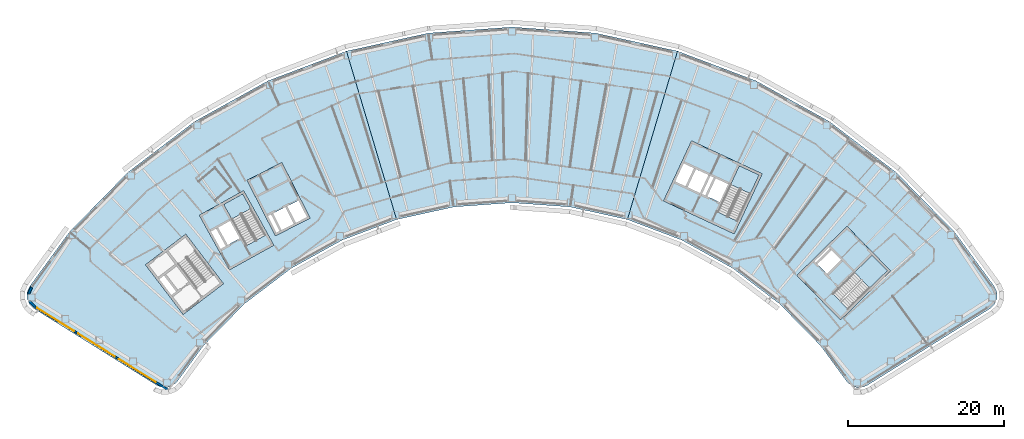
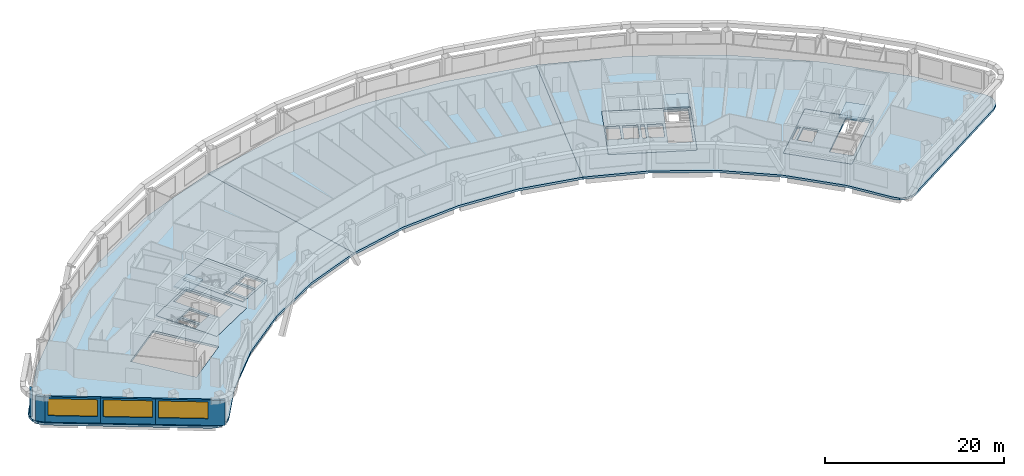
# One storey, part 4 of 17: 10 slabs, 5 walls, 3 windows, 3 openings, 3 elements without a shape of their own.
"""IFC4 building model written with IfcOpenShell, lengths in metres."""

import ifcopenshell
import ifcopenshell.guid

model = None  # the IFC model being written
_history = None  # IfcOwnerHistory: only IFC2X3 demands one
_inside = {}  # id of a spatial element -> (the spatial element, [elements in it])
_under = {}  # id of a project, library or spatial element -> (it, [spatial elements below it])
_declared = {}  # id of a project -> (the project, [libraries it declares])
_typed = {}  # id of a type object -> (the type object, [elements of that type])
_made_of = {}  # id of a material, layer set ... -> (it, [elements and type objects made of it])


def new_model(schema):
    """Start an empty IFC model of exactly this schema.

    Asked for "IFC4X3", IfcOpenShell would pick the latest addendum, in which some entities
    have other attributes; the version numbers below select the first issue.
    IFC2X3 requires an IfcOwnerHistory on every rooted entity: one is made here for all.
    """
    global model, _history
    if schema == "IFC4X3":
        model = ifcopenshell.file(schema_version=(4, 3, 0, 0))
    else:
        model = ifcopenshell.file(schema=schema)
    _inside.clear()
    _under.clear()
    _declared.clear()
    _typed.clear()
    _made_of.clear()
    _history = None
    if model.schema == "IFC2X3":
        org = make("IfcOrganization", Name="unknown")
        user = make(
            "IfcPersonAndOrganization",
            ThePerson=make("IfcPerson", FamilyName="unknown"),
            TheOrganization=org,
        )
        app = make(
            "IfcApplication",
            ApplicationDeveloper=org,
            Version="unknown",
            ApplicationFullName="unknown",
            ApplicationIdentifier="unknown",
        )
        _history = make(
            "IfcOwnerHistory",
            OwningUser=user,
            OwningApplication=app,
            ChangeAction="ADDED",
            CreationDate=0,
        )
    return model


def make(cls, **values):
    """One entity of the class cls with the attributes given. An attribute that is None is left unset."""
    return model.create_entity(
        cls, **{name: value for name, value in values.items() if value is not None}
    )


def rooted(cls, **values):
    """An entity with a GlobalId (a new one), such as an element, a storey or a relation."""
    return make(cls, GlobalId=ifcopenshell.guid.new(), OwnerHistory=_history, **values)


def si_unit(unit_type, name, prefix=None):
    """IfcSIUnit, for example si_unit("LENGTHUNIT", "METRE", prefix="MILLI")."""
    return make("IfcSIUnit", UnitType=unit_type, Prefix=prefix, Name=name)


def assignment(units):
    """IfcUnitAssignment: the units of a project."""
    return None if units is None else make("IfcUnitAssignment", Units=units)


def point(xyz):
    """IfcCartesianPoint."""
    return None if xyz is None else make("IfcCartesianPoint", Coordinates=xyz)


def direction(xyz):
    """IfcDirection."""
    return None if xyz is None else make("IfcDirection", DirectionRatios=xyz)


def frame(location, z_axis=None, x_axis=None):
    """IfcAxis2Placement3D, a coordinate frame: its origin and axes. An axis left out is left unset."""
    return make(
        "IfcAxis2Placement3D",
        Location=point(location),
        Axis=direction(z_axis),
        RefDirection=direction(x_axis),
    )


def frame_2d(location, x_axis=None):
    """IfcAxis2Placement2D, a coordinate frame in the plane: its origin and x axis."""
    return make(
        "IfcAxis2Placement2D", Location=point(location), RefDirection=direction(x_axis)
    )


def origin():
    """The frame at (0, 0, 0) with its axes left unset."""
    return frame((0.0, 0.0, 0.0))


def place(relative_to, where):
    """IfcLocalPlacement: puts the frame where relative to a parent placement (None: the world)."""
    return make(
        "IfcLocalPlacement", PlacementRelTo=relative_to, RelativePlacement=where
    )


def context(
    kind, dimensions, precision=None, world=None, true_north=None, identifier=None
):
    """IfcGeometricRepresentationContext, for example the 3D "Model" context."""
    return make(
        "IfcGeometricRepresentationContext",
        ContextIdentifier=identifier,
        ContextType=kind,
        CoordinateSpaceDimension=dimensions,
        Precision=precision,
        WorldCoordinateSystem=world,
        TrueNorth=true_north,
    )


def subcontext(parent, identifier, kind, view, scale=None):
    """IfcGeometricRepresentationSubContext, for example "Body" below "Model"."""
    return make(
        "IfcGeometricRepresentationSubContext",
        ContextIdentifier=identifier,
        ContextType=kind,
        ParentContext=parent,
        TargetScale=scale,
        TargetView=view,
    )


def project(units=None, contexts=None):
    """IfcProject with its units and contexts."""
    return rooted(
        "IfcProject",
        Name="project",
        RepresentationContexts=contexts,
        UnitsInContext=assignment(units),
    )


def spatial(cls, under=None, at=None, **own):
    """A site, building, storey or space (cls), placed at a placement, below another one or the project."""
    s = rooted(cls, ObjectPlacement=at, **own)
    if under is not None:
        _under.setdefault(under.id(), (under, []))[1].append(s)
    return s


def polyline(points):
    """IfcPolyline through the points."""
    return make("IfcPolyline", Points=[point(p) for p in points])


def profile(cls, at=None, kind="AREA", **sizes):
    """A parametric profile (cls). Its sizes go by their IFC names, for example OverallWidth=200.0."""
    return make(cls, ProfileType=kind, Position=at, **sizes)


def rectangle(**sizes):
    """IfcRectangleProfileDef."""
    return profile("IfcRectangleProfileDef", **sizes)


def outline(outer, holes=None, kind="AREA"):
    """IfcArbitraryClosedProfileDef: a profile drawn as a closed curve; with holes, ...WithVoids."""
    if holes is None:
        return make("IfcArbitraryClosedProfileDef", ProfileType=kind, OuterCurve=outer)
    return make(
        "IfcArbitraryProfileDefWithVoids",
        ProfileType=kind,
        OuterCurve=outer,
        InnerCurves=holes,
    )


def extrude(swept, where, along, depth):
    """IfcExtrudedAreaSolid: the profile swept, set in the frame where, extruded along a direction by depth."""
    return make(
        "IfcExtrudedAreaSolid",
        SweptArea=swept,
        Position=where,
        ExtrudedDirection=direction(along),
        Depth=depth,
    )


def shape(context_of_items, identifier, shape_type, items):
    """IfcShapeRepresentation: the items that make up one representation, for example the "Body"."""
    return make(
        "IfcShapeRepresentation",
        ContextOfItems=context_of_items,
        RepresentationIdentifier=identifier,
        RepresentationType=shape_type,
        Items=items,
    )


def material(Name=None, Category=None):
    """IfcMaterial."""
    return make("IfcMaterial", Name=Name, Category=Category)


def layer(
    of_material, thickness, ventilated=None, Name=None, Category=None, Priority=None
):
    """IfcMaterialLayer: one layer of a wall or slab, of a material (None: an air gap)."""
    return make(
        "IfcMaterialLayer",
        Material=of_material,
        LayerThickness=thickness,
        IsVentilated=ventilated,
        Name=Name,
        Category=Category,
        Priority=Priority,
    )


def layer_set(layers, Name=None):
    """IfcMaterialLayerSet."""
    return make("IfcMaterialLayerSet", MaterialLayers=layers, LayerSetName=Name)


def made_of(thing, what):
    """Note that an element or type object is made of a material, layer set ...; save() writes the relation."""
    if what is not None:
        _made_of.setdefault(what.id(), (what, []))[1].append(thing)
    return thing


def type_object(cls, material=None, **own):
    """A type object (cls), such as IfcWallType, which elements share."""
    return made_of(rooted(cls, **own), material)


def element(
    cls,
    number,
    at=None,
    inside=None,
    cuts=None,
    type_object=None,
    material=None,
    context=None,
    identifier="Body",
    shape_type=None,
    held_by="IfcProductDefinitionShape",
    body=None,
    shapes=None,
    **own,
):
    """One element of the class cls, such as IfcWall. Its Tag is "e" and its number.

    at: its placement. inside: the storey or other place that contains it. cuts: it is an
    opening in that element (IfcRelVoidsElement). A single representation is given by context,
    identifier, shape_type and body (its items); several are given by shapes. held_by: the class
    of the entity that holds the representations. save() writes the other relations.
    """
    e = rooted(cls, Tag="e%d" % number, ObjectPlacement=at, **own)
    if body is not None:
        shapes = [shape(context, identifier, shape_type, body)]
    if shapes is not None:
        e.Representation = make(held_by, Representations=shapes)
    if inside is not None:
        _inside.setdefault(inside.id(), (inside, []))[1].append(e)
    if cuts is not None:
        rooted(
            "IfcRelVoidsElement", RelatingBuildingElement=cuts, RelatedOpeningElement=e
        )
    if type_object is not None:
        _typed.setdefault(type_object.id(), (type_object, []))[1].append(e)
    return made_of(e, material)


def fill(opening, filler):
    """IfcRelFillsElement: the door or window that sits in an opening."""
    return rooted(
        "IfcRelFillsElement",
        RelatingOpeningElement=opening,
        RelatedBuildingElement=filler,
    )


def aggregate(whole, parts):
    """IfcRelAggregates: a whole, such as a stair, and the parts it consists of."""
    return rooted("IfcRelAggregates", RelatingObject=whole, RelatedObjects=parts)


def save(model, path):
    """Write the relations noted so far, then the file.

    IfcRelAggregates (storeys below a building ...), IfcRelContainedInSpatialStructure (elements
    in a storey), IfcRelDefinesByType, IfcRelAssociatesMaterial and IfcRelDeclares: one each for
    every whole, place, type object, material and project.
    """
    for whole, parts in _under.values():
        aggregate(whole, parts)
    for where, things in _inside.values():
        rooted(
            "IfcRelContainedInSpatialStructure",
            RelatedElements=things,
            RelatingStructure=where,
        )
    for kind, things in _typed.values():
        rooted("IfcRelDefinesByType", RelatedObjects=things, RelatingType=kind)
    for what, things in _made_of.values():
        rooted("IfcRelAssociatesMaterial", RelatedObjects=things, RelatingMaterial=what)
    for by, libraries in _declared.values():
        rooted("IfcRelDeclares", RelatingContext=by, RelatedDefinitions=libraries)
    model.write(path)


model = new_model("IFC4")

# Units and contexts
model_context = context("Model", 3, precision=1e-05, world=origin(), true_north=direction((0.0, 1.0)))
body_context = subcontext(model_context, "Body", "Model", "MODEL_VIEW")
ifc_project = project(units=[si_unit("LENGTHUNIT", "METRE"), si_unit("AREAUNIT", "SQUARE_METRE"), si_unit("VOLUMEUNIT", "CUBIC_METRE"), si_unit("PLANEANGLEUNIT", "RADIAN"), si_unit("MASSUNIT", "GRAM", prefix="KILO")], contexts=[model_context])

# Site, building, storey
site_placement = place(None, origin())
site = spatial("IfcSite", under=ifc_project, at=site_placement, CompositionType="ELEMENT")
building_placement = place(site_placement, origin())
building = spatial("IfcBuilding", under=site, at=building_placement, Name="Tuul Gate Civic Tower", CompositionType="ELEMENT")
storey_placement = place(building_placement, frame((0.0, 0.0, 222.10009765625)))
storey = spatial("IfcBuildingStorey", under=building, at=storey_placement, Name="Level 50", CompositionType="ELEMENT", Elevation=222.10009765625)

# Slabs
ifc_material_1 = material(Name="Concrete C40/50", Category="concrete")
ifc_layer_1 = layer(ifc_material_1, 0.300048828125)
ifc_layer_set_1 = layer_set([ifc_layer_1], Name="Concrete C40/50")
slab_type_1 = type_object("IfcSlabType", Name="Core floor slab 300", PredefinedType="FLOOR", material=ifc_layer_set_1)
slab_1_placement = place(storey_placement, frame((0.0, 0.0, -0.300048828125)))
element("IfcSlab", 1, at=slab_1_placement, inside=storey, type_object=slab_type_1, Name="FLOOR SLAB", PredefinedType="FLOOR", context=body_context, shape_type="SweptSolid", body=[
    extrude(outline(polyline([(-24.638916015625, -8.846923828125), (-28.51708984375, -1.849853515625), (-34.2021484375, -5.0009765625), (-30.32421875, -11.998046875), (-24.638916015625, -8.846923828125)]), holes=[polyline([(-29.0185546875, -7.958740234375), (-30.254638671875, -5.728515625), (-31.785400390625, -6.576904296875), (-30.54931640625, -8.80712890625), (-29.0185546875, -7.958740234375)]), polyline([(-30.8115234375, -8.95263671875), (-32.047607421875, -6.72216796875), (-32.8349609375, -7.158447265625), (-31.5986328125, -9.388916015625), (-30.8115234375, -8.95263671875)]), polyline([(-25.702392578125, -7.548828125), (-28.14990234375, -8.905517578125), (-31.08203125, -3.615234375), (-28.63427734375, -2.2587890625), (-25.702392578125, -7.548828125)])]), origin(), (0.0, 0.0, 1.0), 0.300048828125),
])
slab_2_placement = place(storey_placement, frame((0.0, 0.0, -0.300048828125)))
element("IfcSlab", 2, at=slab_2_placement, inside=storey, type_object=slab_type_1, Name="FLOOR SLAB", PredefinedType="FLOOR", context=body_context, shape_type="SweptSolid", body=[
    extrude(outline(polyline([(48.117919921875, -18.43310546875), (54.545166015625, -12.1328125), (48.945068359375, -6.419921875), (42.517822265625, -12.719970703125), (48.117919921875, -18.43310546875)]), holes=[polyline([(46.373779296875, -12.510986328125), (48.19482421875, -10.725830078125), (46.969970703125, -9.47607421875), (45.14892578125, -11.26123046875), (46.373779296875, -12.510986328125)]), polyline([(44.93896484375, -11.046875), (46.760009765625, -9.261962890625), (46.514892578125, -9.011962890625), (44.69384765625, -10.797119140625), (44.93896484375, -11.046875)]), polyline([(49.086181640625, -17.062744140625), (47.12744140625, -15.064208984375), (52.160888671875, -10.130126953125), (54.11962890625, -12.128662109375), (49.086181640625, -17.062744140625)])]), origin(), (0.0, 0.0, 1.0), 0.300048828125),
])
slab_3_placement = place(storey_placement, frame((0.0, 0.0, -0.300048828125)))
element("IfcSlab", 3, at=slab_3_placement, inside=storey, type_object=slab_type_1, Name="FLOOR SLAB", PredefinedType="FLOOR", context=body_context, shape_type="SweptSolid", body=[
    extrude(outline(polyline([(34.465087890625, -7.385986328125), (38.056884765625, 0.31787109375), (28.993896484375, 4.543701171875), (25.40185546875, -3.159912109375), (34.465087890625, -7.385986328125)]), holes=[polyline([(32.60888671875, -3.32080078125), (33.6865234375, -1.009765625), (32.1005859375, -0.27001953125), (31.02294921875, -2.581298828125), (32.60888671875, -3.32080078125)]), polyline([(30.0712890625, -2.137451171875), (31.14892578125, 0.173583984375), (29.562744140625, 0.9130859375), (28.4853515625, -1.39794921875), (30.0712890625, -2.137451171875)]), polyline([(30.751220703125, -2.454345703125), (31.82861328125, -0.143310546875), (31.4208984375, 0.046875), (30.34326171875, -2.264404296875), (30.751220703125, -2.454345703125)]), polyline([(28.21337890625, -1.27099609375), (29.291015625, 1.0400390625), (27.8408203125, 1.71630859375), (26.76318359375, -0.594970703125), (28.21337890625, -1.27099609375)]), polyline([(34.889892578125, -5.7626953125), (32.353759765625, -4.580078125), (35.120849609375, 1.354736328125), (37.6572265625, 0.17236328125), (34.889892578125, -5.7626953125)])]), origin(), (0.0, 0.0, 1.0), 0.300048828125),
])
ifc_material_2 = material(Name="Concrete C40/50", Category="concrete")
ifc_layer_2 = layer(ifc_material_2, 0.300048828125)
ifc_layer_set_2 = layer_set([ifc_layer_2], Name="Concrete C40/50")
slab_type_2 = type_object("IfcSlabType", Name="Core floor slab 300 non-bearing", PredefinedType="FLOOR", material=ifc_layer_set_2)
slab_4_placement = place(storey_placement, frame((0.0, 0.0, -0.300048828125)))
element("IfcSlab", 4, at=slab_4_placement, inside=storey, type_object=slab_type_2, Name="FLOOR SLAB", PredefinedType="FLOOR", context=body_context, shape_type="SweptSolid", body=[
    extrude(outline(polyline([(-19.98095703125, -5.365966796875), (-23.613037109375, 1.761962890625), (-28.068115234375, -0.508056640625), (-24.43603515625, -7.635986328125), (-19.98095703125, -5.365966796875)]), holes=[polyline([(-20.384521484375, -5.23486328125), (-21.47412109375, -3.096435546875), (-22.899658203125, -3.822998046875), (-21.81005859375, -5.961181640625), (-20.384521484375, -5.23486328125)]), polyline([(-22.077392578125, -6.097412109375), (-23.1669921875, -3.958984375), (-24.726318359375, -4.753662109375), (-23.63671875, -6.89208984375), (-22.077392578125, -6.097412109375)]), polyline([(-23.8359375, -7.161865234375), (-24.99365234375, -4.889892578125), (-25.5283203125, -5.162109375), (-24.37060546875, -7.434326171875), (-23.8359375, -7.161865234375)])]), origin(), (0.0, 0.0, 1.0), 0.300048828125),
])

# Stair, slab
ifc_material_3 = material(Name="Concrete C40/50", Category="concrete")
stair_type = type_object("IfcStairType", Name="Exit stair", PredefinedType="HALF_TURN_STAIR", material=ifc_material_3)
stair_1_placement = place(storey_placement, origin())
stair_1 = element("IfcStair", 5, at=stair_1_placement, inside=storey, type_object=stair_type, Name="Level 50 ST-2", PredefinedType="HALF_TURN_STAIR")
ifc_material_4 = material(Name="Concrete C40/50", Category="concrete")
ifc_layer_3 = layer(ifc_material_4, 0.199951171875)
ifc_layer_set_3 = layer_set([ifc_layer_3], Name="Concrete C40/50")
slab_type_3 = type_object("IfcSlabType", Name="Exit stair landing", PredefinedType="LANDING", material=ifc_layer_set_3)
slab_5_placement = place(storey_placement, frame((0.0, 0.0, 1.89990234375)))
slab_5 = element("IfcSlab", 6, at=slab_5_placement, type_object=slab_type_3, Name="ST-2 landing 1", PredefinedType="LANDING", context=body_context, shape_type="SweptSolid", body=[
    extrude(outline(polyline([(-27.5908203125, -4.138427734375), (-30.041015625, -5.49658203125), (-31.084228515625, -3.61474609375), (-28.6337890625, -2.256591796875), (-27.5908203125, -4.138427734375)])), origin(), (0.0, 0.0, 1.0), 0.199951171875),
])
aggregate(stair_1, [slab_5])

stair_2_placement = place(storey_placement, origin())
stair_2 = element("IfcStair", 7, at=stair_2_placement, inside=storey, type_object=stair_type, Name="Level 50 ST-3", PredefinedType="HALF_TURN_STAIR")
slab_6_placement = place(storey_placement, frame((0.0, 0.0, 1.89990234375)))
slab_6 = element("IfcSlab", 8, at=slab_6_placement, type_object=slab_type_3, Name="ST-3 landing 1", PredefinedType="LANDING", context=body_context, shape_type="SweptSolid", body=[
    extrude(outline(polyline([(51.871337890625, -14.3349609375), (49.91015625, -12.334228515625), (52.160888671875, -10.1279296875), (54.1220703125, -12.128662109375), (51.871337890625, -14.3349609375)])), origin(), (0.0, 0.0, 1.0), 0.199951171875),
])
aggregate(stair_2, [slab_6])

stair_3_placement = place(storey_placement, origin())
stair_3 = element("IfcStair", 9, at=stair_3_placement, inside=storey, type_object=stair_type, Name="Level 50 ST-4", PredefinedType="HALF_TURN_STAIR")
slab_7_placement = place(storey_placement, frame((0.0, 0.0, 1.89990234375)))
slab_7 = element("IfcSlab", 10, at=slab_7_placement, type_object=slab_type_3, Name="ST-4 landing 1", PredefinedType="LANDING", context=body_context, shape_type="SweptSolid", body=[
    extrude(outline(polyline([(36.538818359375, -2.230224609375), (33.999755859375, -1.046142578125), (35.1201171875, 1.35693359375), (37.659423828125, 0.173095703125), (36.538818359375, -2.230224609375)])), origin(), (0.0, 0.0, 1.0), 0.199951171875),
])
aggregate(stair_3, [slab_7])

# Slabs
ifc_material_5 = material(Name="Concrete C35/45", Category="concrete")
ifc_layer_4 = layer(ifc_material_5, 0.300048828125)
ifc_layer_set_4 = layer_set([ifc_layer_4], Name="Concrete C35/45")
slab_type_4 = type_object("IfcSlabType", Name="STR-FLOOR-SLAB-300", PredefinedType="FLOOR", material=ifc_layer_set_4)
slab_8_placement = place(storey_placement, frame((0.0, 0.0, -0.300048828125)))
element("IfcSlab", 11, at=slab_8_placement, inside=storey, type_object=slab_type_4, Name="Level 50/slab/W", PredefinedType="FLOOR", context=body_context, shape_type="SweptSolid", body=[
    extrude(outline(polyline([(-15.89404296875, -8.2041015625), (-8.875, -5.549072265625), (-15.30908203125, 16.072998046875), (-25.376953125, 12.264892578125), (-34.7919921875, 7.0458984375), (-43.35595703125, 0.52587890625), (-50.89111328125, -7.160888671875), (-55.971923828125, -14.117919921875), (-56.30810546875, -14.861083984375), (-56.320068359375, -15.677001953125), (-56.006103515625, -16.428955078125), (-55.416015625, -16.992919921875), (-39.68603515625, -26.822998046875), (-38.991943359375, -27.093017578125), (-38.2470703125, -27.090087890625), (-37.554931640625, -26.81494140625), (-37.011962890625, -26.305908203125), (-33.681884765625, -21.748046875), (-28.428955078125, -16.388916015625), (-22.4580078125, -11.842041015625), (-15.89404296875, -8.2041015625)]), holes=[polyline([(-31.10009765625, -13.7890625), (-36.27197265625, -17.72705078125), (-41.117919921875, -11.362060546875), (-35.946044921875, -7.424072265625), (-31.10009765625, -13.7890625)]), polyline([(-24.638916015625, -8.846923828125), (-30.323974609375, -11.998046875), (-34.201904296875, -5.0009765625), (-28.51708984375, -1.85009765625), (-24.638916015625, -8.846923828125)]), polyline([(-24.43603515625, -7.635986328125), (-28.068115234375, -0.508056640625), (-23.613037109375, 1.761962890625), (-19.98095703125, -5.365966796875), (-24.43603515625, -7.635986328125)])]), origin(), (0.0, 0.0, 1.0), 0.300048828125),
])
slab_9_placement = place(storey_placement, frame((0.0, 0.0, -0.300048828125)))
element("IfcSlab", 12, at=slab_9_placement, inside=storey, type_object=slab_type_4, Name="Level 50/slab/M", PredefinedType="FLOOR", context=body_context, shape_type="SweptSolid", body=[
    extrude(outline(polyline([(13.425048828125, -3.93408203125), (20.75390625, -5.549072265625), (27.18798828125, 16.072998046875), (16.676025390625, 18.388916015625), (5.93994140625, 19.1669921875), (-4.7958984375, 18.388916015625), (-15.30810546875, 16.072998046875), (-15.30908203125, 16.072998046875), (-8.875, -5.549072265625), (-8.8740234375, -5.549072265625), (-1.544921875, -3.93408203125), (5.93994140625, -3.39208984375), (13.425048828125, -3.93408203125)])), origin(), (0.0, 0.0, 1.0), 0.300048828125),
])
slab_10_placement = place(storey_placement, frame((0.0, 0.0, -0.300048828125)))
element("IfcSlab", 13, at=slab_10_placement, inside=storey, type_object=slab_type_4, Name="Level 50/slab/E", PredefinedType="FLOOR", context=body_context, shape_type="SweptSolid", body=[
    extrude(outline(polyline([(50.8720703125, -27.093017578125), (51.56591796875, -26.822998046875), (67.2958984375, -16.992919921875), (67.885009765625, -16.428955078125), (68.199951171875, -15.677001953125), (68.18798828125, -14.861083984375), (67.85107421875, -14.117919921875), (62.77099609375, -7.160888671875), (55.235107421875, 0.52587890625), (46.6708984375, 7.0458984375), (37.256103515625, 12.264892578125), (27.18798828125, 16.072998046875), (20.75390625, -5.549072265625), (27.77294921875, -8.2041015625), (34.3369140625, -11.842041015625), (40.30810546875, -16.388916015625), (45.56201171875, -21.748046875), (48.89111328125, -26.305908203125), (49.43505859375, -26.81494140625), (50.126953125, -27.090087890625), (50.8720703125, -27.093017578125)]), holes=[polyline([(48.117919921875, -18.43310546875), (42.51806640625, -12.719970703125), (48.945068359375, -6.419921875), (54.544921875, -12.133056640625), (48.117919921875, -18.43310546875)]), polyline([(25.402099609375, -3.159912109375), (28.993896484375, 4.5439453125), (38.056884765625, 0.318115234375), (34.465087890625, -7.385986328125), (25.402099609375, -3.159912109375)])]), origin(), (0.0, 0.0, 1.0), 0.300048828125),
])

# Walls
ifc_material_6 = material(Name="Precast concrete C40/50", Category="concrete")
ifc_layer_5 = layer(ifc_material_6, 0.25)
ifc_layer_set_5 = layer_set([ifc_layer_5], Name="Precast concrete C40/50")
wall_type = type_object("IfcWallType", Name="External wall", PredefinedType="STANDARD", material=ifc_layer_set_5)
wall_1_placement = place(storey_placement, frame((-55.737060546875, -14.257568359375, 0.0), z_axis=(0.0, 0.0, 1.0), x_axis=(-0.411921142617, -0.911219497303, 0.0)))
element("IfcWall", 14, at=wall_1_placement, inside=storey, type_object=wall_type, Name="External wall", PredefinedType="STANDARD", context=body_context, shape_type="SweptSolid", body=[
    extrude(rectangle(XDim=0.938720703125, YDim=0.25, at=frame_2d((0.46923828125, 0.0))), origin(), (0.0, 0.0, 1.0), 3.449951171875),
])
wall_2_placement = place(storey_placement, frame((-56.046875, -16.012939453125, 0.0), z_axis=(0.0, 0.0, 1.0), x_axis=(0.722218585129, -0.691664886555, 0.0)))
element("IfcWall", 15, at=wall_2_placement, inside=storey, type_object=wall_type, Name="External wall", PredefinedType="STANDARD", context=body_context, shape_type="SweptSolid", body=[
    extrude(rectangle(XDim=1.102783203125, YDim=0.25, at=frame_2d((0.55126953125, 0.0))), origin(), (0.0, 0.0, 1.0), 3.449951171875),
])

# Wall, opening, window
wall_3_placement = place(storey_placement, frame((-55.270751953125, -16.760009765625, 0.0), z_axis=(0.0, 0.0, 1.0), x_axis=(0.848053758074, -0.529910203164, 0.0)))
wall_3 = element("IfcWall", 16, at=wall_3_placement, inside=storey, type_object=wall_type, Name="External wall", PredefinedType="STANDARD", context=body_context, shape_type="SweptSolid", body=[
    extrude(rectangle(XDim=6.182861328125, YDim=0.25, at=frame_2d((3.09130859375, 0.0))), origin(), (0.0, 0.0, 1.0), 3.449951171875),
])
opening_1_placement = place(wall_3_placement, frame((0.31640625, 0.0, 0.89990234375)))
opening_1 = element("IfcOpeningElement", 17, at=opening_1_placement, cuts=wall_3, Name="Opening W24", PredefinedType="OPENING", context=body_context, shape_type="SweptSolid", body=[
    extrude(rectangle(XDim=5.550048828125, YDim=2.300048828125, at=frame_2d((2.77490234375, 1.14990234375))), frame((0.0, 0.135009765625, 0.0), z_axis=(0.0, -1.0, 0.0), x_axis=(1.0, 0.0, 0.0)), (0.0, 0.0, 1.0), 0.27001953125),
])
ifc_material_7 = material(Name="Glass", Category="glass")
window_type = type_object("IfcWindowType", Name="Window W24 5550 x 2300", PartitioningType="SINGLE_PANEL", PredefinedType="WINDOW", material=ifc_material_7)
window_1_placement = place(opening_1_placement, origin())
window_1 = element("IfcWindow", 18, at=window_1_placement, inside=storey, type_object=window_type, Name="Window", OverallHeight=2.300048828125, OverallWidth=5.550048828125, PartitioningType="SINGLE_PANEL", PredefinedType="WINDOW", context=body_context, shape_type="SweptSolid", body=[
    extrude(rectangle(XDim=5.550048828125, YDim=2.300048828125, at=frame_2d((2.77490234375, 1.14990234375))), frame((0.0, 0.030029296875, 0.0), z_axis=(0.0, -1.0, 0.0), x_axis=(1.0, 0.0, 0.0)), (0.0, 0.0, 1.0), 0.06005859375),
])
fill(opening_1, window_1)

wall_4_placement = place(storey_placement, frame((-50.02734375, -20.036376953125, 0.0), z_axis=(0.0, 0.0, 1.0), x_axis=(0.848042669488, -0.529927948619, 0.0)))
wall_4 = element("IfcWall", 19, at=wall_4_placement, inside=storey, type_object=wall_type, Name="External wall", PredefinedType="STANDARD", context=body_context, shape_type="SweptSolid", body=[
    extrude(rectangle(XDim=6.1826171875, YDim=0.25, at=frame_2d((3.09130859375, 0.0))), origin(), (0.0, 0.0, 1.0), 3.449951171875),
])
opening_2_placement = place(wall_4_placement, frame((0.31640625, 0.0, 0.89990234375)))
opening_2 = element("IfcOpeningElement", 20, at=opening_2_placement, cuts=wall_4, Name="Opening W24", PredefinedType="OPENING", context=body_context, shape_type="SweptSolid", body=[
    extrude(rectangle(XDim=5.550048828125, YDim=2.300048828125, at=frame_2d((2.77490234375, 1.14990234375))), frame((0.0, 0.135009765625, 0.0), z_axis=(0.0, -1.0, 0.0), x_axis=(1.0, 0.0, 0.0)), (0.0, 0.0, 1.0), 0.27001953125),
])
window_2_placement = place(opening_2_placement, origin())
window_2 = element("IfcWindow", 21, at=window_2_placement, inside=storey, type_object=window_type, Name="Window", OverallHeight=2.300048828125, OverallWidth=5.550048828125, PartitioningType="SINGLE_PANEL", PredefinedType="WINDOW", context=body_context, shape_type="SweptSolid", body=[
    extrude(rectangle(XDim=5.550048828125, YDim=2.300048828125, at=frame_2d((2.77490234375, 1.14990234375))), frame((0.0, 0.030029296875, 0.0), z_axis=(0.0, -1.0, 0.0), x_axis=(1.0, 0.0, 0.0)), (0.0, 0.0, 1.0), 0.06005859375),
])
fill(opening_2, window_2)

wall_5_placement = place(storey_placement, frame((-44.7841796875, -23.312744140625, 0.0), z_axis=(0.0, 0.0, 1.0), x_axis=(0.848066986554, -0.529889032078, 0.0)))
wall_5 = element("IfcWall", 22, at=wall_5_placement, inside=storey, type_object=wall_type, Name="External wall", PredefinedType="STANDARD", context=body_context, shape_type="SweptSolid", body=[
    extrude(rectangle(XDim=7.787353515625, YDim=0.25, at=frame_2d((3.8935546875, 0.0))), origin(), (0.0, 0.0, 1.0), 3.449951171875),
])
opening_3_placement = place(wall_5_placement, frame((0.31640625, 0.0, 0.89990234375)))
opening_3 = element("IfcOpeningElement", 23, at=opening_3_placement, cuts=wall_5, Name="Opening W24", PredefinedType="OPENING", context=body_context, shape_type="SweptSolid", body=[
    extrude(rectangle(XDim=5.550048828125, YDim=2.300048828125, at=frame_2d((2.77490234375, 1.14990234375))), frame((0.0, 0.135009765625, 0.0), z_axis=(0.0, -1.0, 0.0), x_axis=(1.0, 0.0, 0.0)), (0.0, 0.0, 1.0), 0.27001953125),
])
window_3_placement = place(opening_3_placement, origin())
window_3 = element("IfcWindow", 24, at=window_3_placement, inside=storey, type_object=window_type, Name="Window", OverallHeight=2.300048828125, OverallWidth=5.550048828125, PartitioningType="SINGLE_PANEL", PredefinedType="WINDOW", context=body_context, shape_type="SweptSolid", body=[
    extrude(rectangle(XDim=5.550048828125, YDim=2.300048828125, at=frame_2d((2.77490234375, 1.14990234375))), frame((0.0, 0.030029296875, 0.0), z_axis=(0.0, -1.0, 0.0), x_axis=(1.0, 0.0, 0.0)), (0.0, 0.0, 1.0), 0.06005859375),
])
fill(opening_3, window_3)

save(model, "model.ifc")
